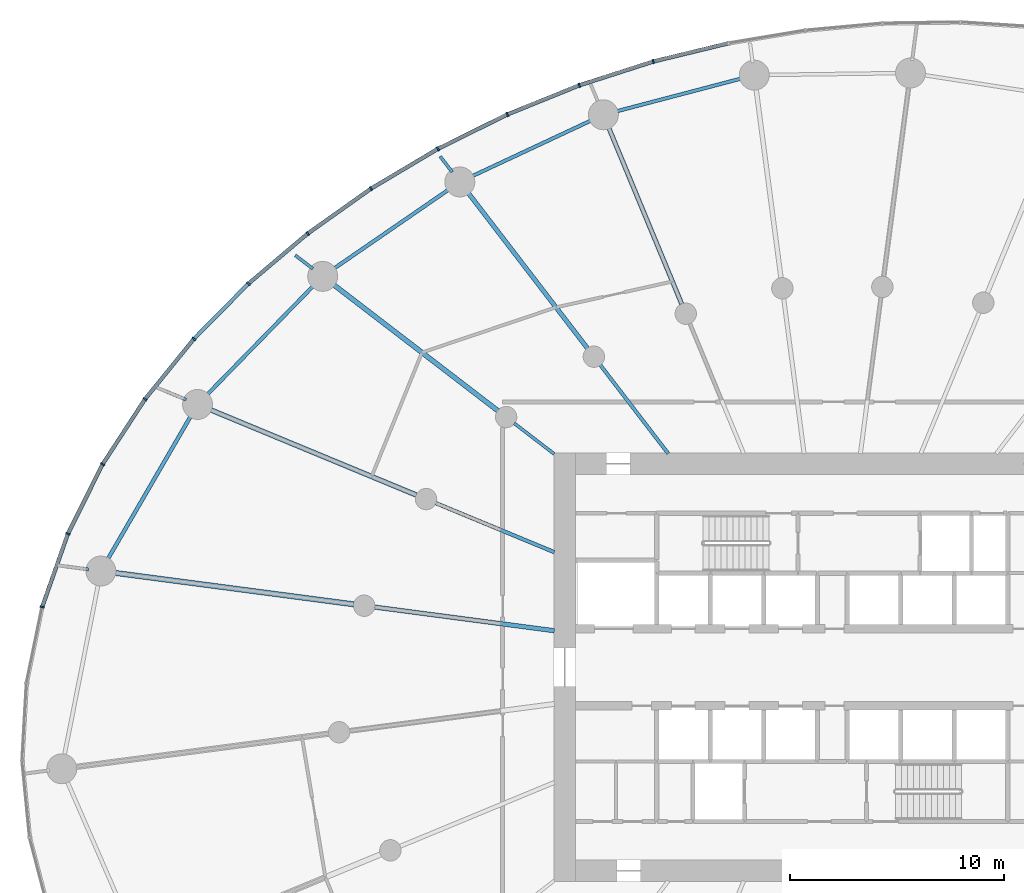
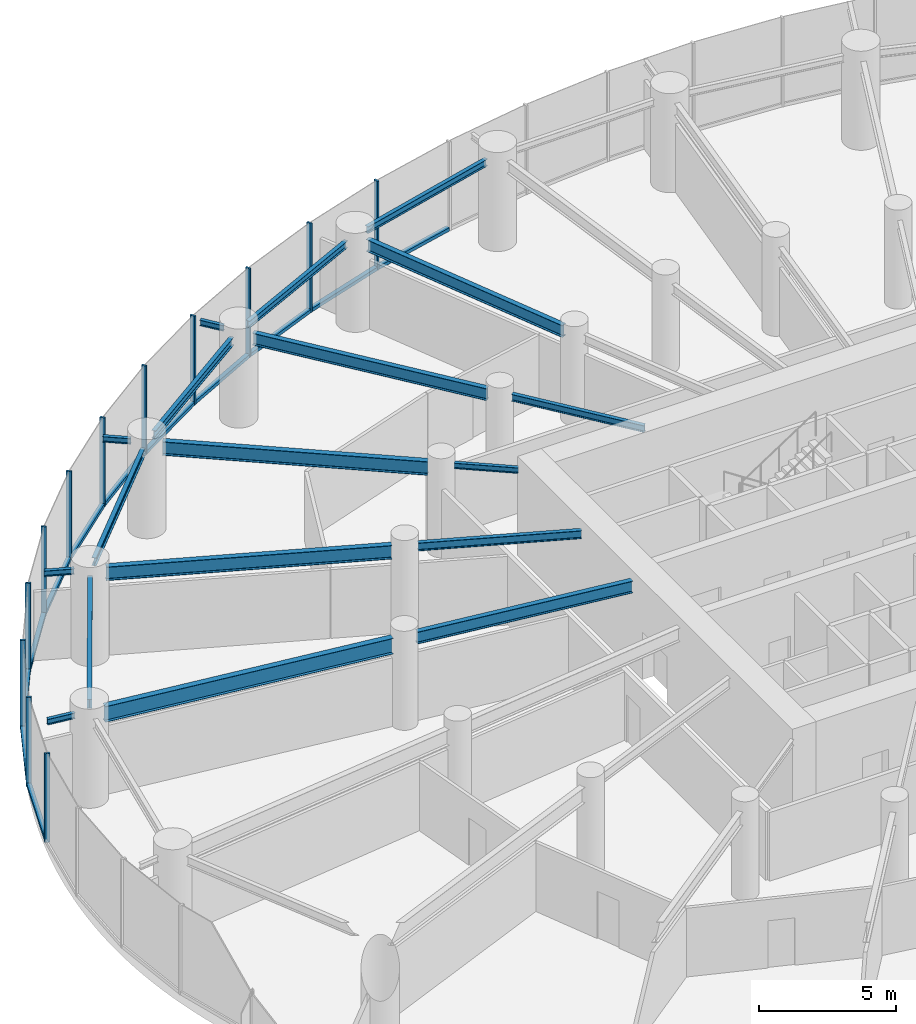
# One storey, part 6 of 18: 24 members, 18 beams, 3 elements without a shape of their own.
"""IFC4 building model written with IfcOpenShell, lengths in metres."""

from ifc_helpers import new_model, si_unit, direction, frame, origin, origin_2d, place, context, subcontext, project, spatial, rectangle, i_section, extrude, source, transform, mapped, material, layer, layer_set, material_profile, profile_set, type_object, element, aggregate, save


model = new_model("IFC4")

# Units and contexts
model_context = context("Model", 3, precision=1e-05, world=origin(), true_north=direction((0.0, 1.0)))
body_context = subcontext(model_context, "Body", "Model", "MODEL_VIEW")
ifc_project = project(units=[si_unit("LENGTHUNIT", "METRE"), si_unit("AREAUNIT", "SQUARE_METRE"), si_unit("VOLUMEUNIT", "CUBIC_METRE"), si_unit("PLANEANGLEUNIT", "RADIAN"), si_unit("MASSUNIT", "GRAM", prefix="KILO")], contexts=[model_context])

# Site, building, storey
site_placement = place(None, origin())
site = spatial("IfcSite", under=ifc_project, at=site_placement, CompositionType="ELEMENT")
building_placement = place(site_placement, origin())
building = spatial("IfcBuilding", under=site, at=building_placement, Name="Spindrift Exchange Tower", CompositionType="ELEMENT")
storey_placement = place(building_placement, frame((0.0, 0.0, 66.60009765625)))
storey = spatial("IfcBuildingStorey", under=building, at=storey_placement, Name="L15", CompositionType="ELEMENT", Elevation=66.60009765625)

# Beams
ifc_material_1 = material(Name="Steel Grade 300", Category="steel")
ifc_material_profile_1 = material_profile(ifc_material_1, i_section(OverallWidth=0.208984375, OverallDepth=0.532958984375, WebThickness=0.01025390625, FlangeThickness=0.015625, FilletRadius=0.013916015625, at=origin_2d()), Name="530UB92.4")
ifc_profile_set_1 = profile_set([ifc_material_profile_1], Name="Steel Grade 300")
beam_type_1 = type_object("IfcBeamType", Name="Floor Beam 530UB92.4 Steel Grade 300", PredefinedType="BEAM", material=ifc_profile_set_1)
shared_shape_1 = source(origin(), body_context, "Body", "SweptSolid", [
    extrude(i_section(OverallWidth=0.208984375, OverallDepth=0.532958984375, WebThickness=0.01025390625, FlangeThickness=0.015625, FilletRadius=0.013916015625, at=origin_2d()), origin(), (0.0, 0.0, 1.0), 8.99658203125),
])
beam_1_placement = place(storey_placement, frame((44.974609375, 64.9609375, 3.683349609375), z_axis=(-0.382685731718, 0.923878580085, 0.0), x_axis=(-0.923878580085, -0.382685731718, 0.0)))
element("IfcBeam", 1, at=beam_1_placement, inside=storey, type_object=beam_type_1, Name="L15 radial beam R08B", PredefinedType="BEAM", context=body_context, shape_type="MappedRepresentation", body=[
    mapped(shared_shape_1, transform((0.0, 0.0, 0.0), scale=1.0)),
])
ifc_material_profile_2 = material_profile(ifc_material_1, i_section(OverallWidth=0.1650390625, OverallDepth=0.303955078125, WebThickness=0.006103515625, FlangeThickness=0.01025390625, FilletRadius=0.011474609375, at=origin_2d()), Name="310UB40.4")
ifc_profile_set_2 = profile_set([ifc_material_profile_2], Name="Steel Grade 300")
beam_type_2 = type_object("IfcBeamType", Name="Floor Beam 310UB40.4 Steel Grade 300", PredefinedType="BEAM", material=ifc_profile_set_2)
shared_shape_2 = source(origin(), body_context, "Body", "SweptSolid", [
    extrude(i_section(OverallWidth=0.1650390625, OverallDepth=0.303955078125, WebThickness=0.006103515625, FlangeThickness=0.01025390625, FilletRadius=0.011474609375, at=origin_2d()), origin(), (0.0, 0.0, 1.0), 5.224609375),
])
beam_2_placement = place(storey_placement, frame((44.3388671875, 57.984130859375, 3.7978515625), z_axis=(-0.608741499316, 0.793368632485, 0.0), x_axis=(-0.793368632485, -0.608741499316, 0.0)))
element("IfcBeam", 2, at=beam_2_placement, inside=storey, type_object=beam_type_2, Name="L15 radial beam R09A", PredefinedType="BEAM", context=body_context, shape_type="MappedRepresentation", body=[
    mapped(shared_shape_2, transform((0.0, 0.0, 0.0), scale=1.0)),
])
shared_shape_3 = source(origin(), body_context, "Body", "SweptSolid", [
    extrude(i_section(OverallWidth=0.208984375, OverallDepth=0.532958984375, WebThickness=0.01025390625, FlangeThickness=0.015625, FilletRadius=0.013916015625, at=origin_2d()), origin(), (0.0, 0.0, 1.0), 9.227783203125),
])
beam_3_placement = place(storey_placement, frame((40.573974609375, 62.890625, 3.683349609375), z_axis=(-0.608747534474, 0.79336400175, 0.0), x_axis=(-0.79336400175, -0.608747534474, 0.0)))
element("IfcBeam", 3, at=beam_3_placement, inside=storey, type_object=beam_type_1, Name="L15 radial beam R09B", PredefinedType="BEAM", context=body_context, shape_type="MappedRepresentation", body=[
    mapped(shared_shape_3, transform((0.0, 0.0, 0.0), scale=1.0)),
])
ifc_material_profile_3 = material_profile(ifc_material_1, i_section(OverallWidth=0.14599609375, OverallDepth=0.251953125, WebThickness=0.006103515625, FlangeThickness=0.008544921875, FilletRadius=0.011962890625, at=origin_2d()), Name="250UB31.4")
ifc_profile_set_3 = profile_set([ifc_material_profile_3], Name="Steel Grade 300")
beam_type_3 = type_object("IfcBeamType", Name="Floor Beam 250UB31.4 Steel Grade 300", PredefinedType="BEAM", material=ifc_profile_set_3)
shared_shape_4 = source(origin(), body_context, "Body", "SweptSolid", [
    extrude(i_section(OverallWidth=0.14599609375, OverallDepth=0.251953125, WebThickness=0.006103515625, FlangeThickness=0.008544921875, FilletRadius=0.011962890625, at=origin_2d()), origin(), (0.0, 0.0, 1.0), 2.353759765625),
])
beam_4_placement = place(storey_placement, frame((39.015869140625, 57.963134765625, 3.823974609375), z_axis=(-0.793367573265, 0.608742879787, 0.0), x_axis=(-0.608742879787, -0.793367573265, 0.0)))
element("IfcBeam", 4, at=beam_4_placement, inside=storey, type_object=beam_type_3, Name="L15 radial beam R10A", PredefinedType="BEAM", context=body_context, shape_type="MappedRepresentation", body=[
    mapped(shared_shape_4, transform((0.0, 0.0, 0.0), scale=1.0)),
])
ifc_material_profile_4 = material_profile(ifc_material_1, i_section(OverallWidth=0.22802734375, OverallDepth=0.60693359375, WebThickness=0.01123046875, FlangeThickness=0.017333984375, FilletRadius=0.013916015625, at=origin_2d()), Name="610UB113")
ifc_profile_set_4 = profile_set([ifc_material_profile_4], Name="Steel Grade 300")
beam_type_4 = type_object("IfcBeamType", Name="Floor Beam 610UB113 Steel Grade 300", PredefinedType="BEAM", material=ifc_profile_set_4)
shared_shape_5 = source(origin(), body_context, "Body", "SweptSolid", [
    extrude(i_section(OverallWidth=0.22802734375, OverallDepth=0.60693359375, WebThickness=0.01123046875, FlangeThickness=0.017333984375, FilletRadius=0.013916015625, at=origin_2d()), origin(), (0.0, 0.0, 1.0), 9.73974609375),
])
beam_5_placement = place(storey_placement, frame((36.38671875, 59.98046875, 3.646484375), z_axis=(-0.793352119621, 0.608763019814, 0.0), x_axis=(-0.608763019814, -0.793352119621, 0.0)))
element("IfcBeam", 5, at=beam_5_placement, inside=storey, type_object=beam_type_4, Name="L15 radial beam R10B", PredefinedType="BEAM", context=body_context, shape_type="MappedRepresentation", body=[
    mapped(shared_shape_5, transform((0.0, 0.0, 0.0), scale=1.0)),
])
ifc_material_profile_5 = material_profile(ifc_material_1, i_section(OverallWidth=0.172119140625, OverallDepth=0.35888671875, WebThickness=0.008056640625, FlangeThickness=0.012939453125, FilletRadius=0.013916015625, at=origin_2d()), Name="360UB56.7")
ifc_profile_set_5 = profile_set([ifc_material_profile_5], Name="Steel Grade 300")
beam_type_5 = type_object("IfcBeamType", Name="Floor Beam 360UB56.7 Steel Grade 300", PredefinedType="BEAM", material=ifc_profile_set_5)
shared_shape_6 = source(origin(), body_context, "Body", "SweptSolid", [
    extrude(i_section(OverallWidth=0.172119140625, OverallDepth=0.35888671875, WebThickness=0.008056640625, FlangeThickness=0.012939453125, FilletRadius=0.013916015625, at=origin_2d()), origin(), (0.0, 0.0, 1.0), 6.004638671875),
])
beam_6_placement = place(storey_placement, frame((39.0185546875, 53.377197265625, 3.7705078125), z_axis=(-0.923882044911, 0.38267736684, 0.0), x_axis=(-0.38267736684, -0.923882044911, 0.0)))
element("IfcBeam", 6, at=beam_6_placement, inside=storey, type_object=beam_type_5, Name="L15 radial beam R11A", PredefinedType="BEAM", context=body_context, shape_type="MappedRepresentation", body=[
    mapped(shared_shape_6, transform((0.0, 0.0, 0.0), scale=1.0)),
])
shared_shape_7 = source(origin(), body_context, "Body", "SweptSolid", [
    extrude(i_section(OverallWidth=0.22802734375, OverallDepth=0.60693359375, WebThickness=0.01123046875, FlangeThickness=0.017333984375, FilletRadius=0.013916015625, at=origin_2d()), origin(), (0.0, 0.0, 1.0), 10.4912109375),
])
beam_7_placement = place(storey_placement, frame((32.583984375, 56.04248046875, 3.646484375), z_axis=(-0.923885231151, 0.382669674342, 0.0), x_axis=(-0.382669674342, -0.923885231151, 0.0)))
element("IfcBeam", 7, at=beam_7_placement, inside=storey, type_object=beam_type_4, Name="L15 radial beam R11B", PredefinedType="BEAM", context=body_context, shape_type="MappedRepresentation", body=[
    mapped(shared_shape_7, transform((0.0, 0.0, 0.0), scale=1.0)),
])
shared_shape_8 = source(origin(), body_context, "Body", "SweptSolid", [
    extrude(i_section(OverallWidth=0.208984375, OverallDepth=0.532958984375, WebThickness=0.01025390625, FlangeThickness=0.015625, FilletRadius=0.013916015625, at=origin_2d()), origin(), (0.0, 0.0, 1.0), 8.4794921875),
])
beam_8_placement = place(storey_placement, frame((39.019775390625, 49.708984375, 3.683349609375), z_axis=(-0.991446551951, 0.13051335037, 0.0), x_axis=(-0.13051335037, -0.991446551951, 0.0)))
element("IfcBeam", 8, at=beam_8_placement, inside=storey, type_object=beam_type_1, Name="L15 radial beam R12A", PredefinedType="BEAM", context=body_context, shape_type="MappedRepresentation", body=[
    mapped(shared_shape_8, transform((0.0, 0.0, 0.0), scale=1.0)),
])
ifc_material_profile_6 = material_profile(ifc_material_1, i_section(OverallWidth=0.25, OverallDepth=0.699951171875, WebThickness=0.008056640625, FlangeThickness=0.011962890625, at=origin_2d()), Name="700WB115")
ifc_profile_set_6 = profile_set([ifc_material_profile_6], Name="Steel Grade 300")
beam_type_6 = type_object("IfcBeamType", Name="Floor Beam 700WB115 Steel Grade 300", PredefinedType="BEAM", material=ifc_profile_set_6)
shared_shape_9 = source(origin(), body_context, "Body", "SweptSolid", [
    extrude(i_section(OverallWidth=0.25, OverallDepth=0.699951171875, WebThickness=0.008056640625, FlangeThickness=0.011962890625, at=origin_2d()), origin(), (0.0, 0.0, 1.0), 11.34423828125),
])
beam_9_placement = place(storey_placement, frame((29.660888671875, 50.94091796875, 3.599853515625), z_axis=(-0.991444770187, 0.130526884848, 0.0), x_axis=(-0.130526884848, -0.991444770187, 0.0)))
element("IfcBeam", 9, at=beam_9_placement, inside=storey, type_object=beam_type_6, Name="L15 radial beam R12B", PredefinedType="BEAM", context=body_context, shape_type="MappedRepresentation", body=[
    mapped(shared_shape_9, transform((0.0, 0.0, 0.0), scale=1.0)),
])
ifc_material_profile_7 = material_profile(ifc_material_1, i_section(OverallWidth=0.1650390625, OverallDepth=0.303955078125, WebThickness=0.006103515625, FlangeThickness=0.01025390625, FilletRadius=0.011474609375, at=origin_2d()), Name="310UB40.4")
ifc_profile_set_7 = profile_set([ifc_material_profile_7], Name="Steel Grade 300")
beam_type_7 = type_object("IfcBeamType", Name="Edge Beam 310UB40.4 Steel Grade 300", PredefinedType="SPANDREL", material=ifc_profile_set_7)
shared_shape_10 = source(origin(), body_context, "Body", "SweptSolid", [
    extrude(i_section(OverallWidth=0.1650390625, OverallDepth=0.303955078125, WebThickness=0.006103515625, FlangeThickness=0.01025390625, FilletRadius=0.011474609375, at=origin_2d()), origin(), (0.0, 0.0, 1.0), 6.128173828125),
])
beam_10_placement = place(storey_placement, frame((47.79736328125, 75.513916015625, 3.7978515625), z_axis=(-0.967147261855, -0.254216785216, 0.0), x_axis=(0.254216785216, -0.967147261855, 0.0)))
element("IfcBeam", 10, at=beam_10_placement, inside=storey, type_object=beam_type_7, Name="L15 edge beam E07", PredefinedType="SPANDREL", context=body_context, shape_type="MappedRepresentation", body=[
    mapped(shared_shape_10, transform((0.0, 0.0, 0.0), scale=1.0)),
])
shared_shape_11 = source(origin(), body_context, "Body", "SweptSolid", [
    extrude(i_section(OverallWidth=0.1650390625, OverallDepth=0.303955078125, WebThickness=0.006103515625, FlangeThickness=0.01025390625, FilletRadius=0.011474609375, at=origin_2d()), origin(), (0.0, 0.0, 1.0), 6.243408203125),
])
beam_11_placement = place(storey_placement, frame((40.7841796875, 73.56298828125, 3.7978515625), z_axis=(-0.905791146607, -0.423724437257, 0.0), x_axis=(0.423724437257, -0.905791146607, 0.0)))
element("IfcBeam", 11, at=beam_11_placement, inside=storey, type_object=beam_type_7, Name="L15 edge beam E08", PredefinedType="SPANDREL", context=body_context, shape_type="MappedRepresentation", body=[
    mapped(shared_shape_11, transform((0.0, 0.0, 0.0), scale=1.0)),
])
ifc_material_profile_8 = material_profile(ifc_material_1, i_section(OverallWidth=0.172119140625, OverallDepth=0.35888671875, WebThickness=0.008056640625, FlangeThickness=0.012939453125, FilletRadius=0.013916015625, at=origin_2d()), Name="360UB56.7")
ifc_profile_set_8 = profile_set([ifc_material_profile_8], Name="Steel Grade 300")
beam_type_8 = type_object("IfcBeamType", Name="Edge Beam 360UB56.7 Steel Grade 300", PredefinedType="SPANDREL", material=ifc_profile_set_8)
shared_shape_12 = source(origin(), body_context, "Body", "SweptSolid", [
    extrude(i_section(OverallWidth=0.172119140625, OverallDepth=0.35888671875, WebThickness=0.008056640625, FlangeThickness=0.012939453125, FilletRadius=0.013916015625, at=origin_2d()), origin(), (0.0, 0.0, 1.0), 6.614990234375),
])
beam_12_placement = place(storey_placement, frame((34.125732421875, 70.3427734375, 3.7705078125), z_axis=(-0.823690708835, -0.567039342708, 0.0), x_axis=(0.567039342708, -0.823690708835, 0.0)))
element("IfcBeam", 12, at=beam_12_placement, inside=storey, type_object=beam_type_8, Name="L15 edge beam E09", PredefinedType="SPANDREL", context=body_context, shape_type="MappedRepresentation", body=[
    mapped(shared_shape_12, transform((0.0, 0.0, 0.0), scale=1.0)),
])
shared_shape_13 = source(origin(), body_context, "Body", "SweptSolid", [
    extrude(i_section(OverallWidth=0.172119140625, OverallDepth=0.35888671875, WebThickness=0.008056640625, FlangeThickness=0.012939453125, FilletRadius=0.013916015625, at=origin_2d()), origin(), (0.0, 0.0, 1.0), 7.2041015625),
])
beam_13_placement = place(storey_placement, frame((27.794189453125, 65.847900390625, 3.7705078125), z_axis=(-0.698703626006, -0.715411240481, 0.0), x_axis=(0.715411240481, -0.698703626006, 0.0)))
element("IfcBeam", 13, at=beam_13_placement, inside=storey, type_object=beam_type_8, Name="L15 edge beam E10", PredefinedType="SPANDREL", context=body_context, shape_type="MappedRepresentation", body=[
    mapped(shared_shape_13, transform((0.0, 0.0, 0.0), scale=1.0)),
])
ifc_material_profile_9 = material_profile(ifc_material_1, i_section(OverallWidth=0.177978515625, OverallDepth=0.406005859375, WebThickness=0.0078125, FlangeThickness=0.0126953125, FilletRadius=0.013916015625, at=origin_2d()), Name="410UB59.7")
ifc_profile_set_9 = profile_set([ifc_material_profile_9], Name="Steel Grade 300")
beam_type_9 = type_object("IfcBeamType", Name="Edge Beam 410UB59.7 Steel Grade 300", PredefinedType="SPANDREL", material=ifc_profile_set_9)
shared_shape_14 = source(origin(), body_context, "Body", "SweptSolid", [
    extrude(i_section(OverallWidth=0.177978515625, OverallDepth=0.406005859375, WebThickness=0.0078125, FlangeThickness=0.0126953125, FilletRadius=0.013916015625, at=origin_2d()), origin(), (0.0, 0.0, 1.0), 7.837646484375),
])
beam_14_placement = place(storey_placement, frame((22.064208984375, 59.777587890625, 3.746826171875), z_axis=(-0.50198145655, -0.864878382942, 0.0), x_axis=(0.864878382942, -0.50198145655, 0.0)))
element("IfcBeam", 14, at=beam_14_placement, inside=storey, type_object=beam_type_9, Name="L15 edge beam E11", PredefinedType="SPANDREL", context=body_context, shape_type="MappedRepresentation", body=[
    mapped(shared_shape_14, transform((0.0, 0.0, 0.0), scale=1.0)),
])
ifc_material_profile_10 = material_profile(ifc_material_1, i_section(OverallWidth=0.14599609375, OverallDepth=0.251953125, WebThickness=0.006103515625, FlangeThickness=0.008544921875, FilletRadius=0.011962890625, at=origin_2d()), Name="250UB31.4")
ifc_profile_set_10 = profile_set([ifc_material_profile_10], Name="Steel Grade 300")
beam_type_10 = type_object("IfcBeamType", Name="Cantilever Beam 250UB31.4 Steel Grade 300", PredefinedType="BEAM", material=ifc_profile_set_10)
shared_shape_15 = source(origin(), body_context, "Body", "SweptSolid", [
    extrude(i_section(OverallWidth=0.14599609375, OverallDepth=0.251953125, WebThickness=0.006103515625, FlangeThickness=0.008544921875, FilletRadius=0.011962890625, at=origin_2d()), origin(), (0.0, 0.0, 1.0), 0.925537109375),
])
beam_15_placement = place(storey_placement, frame((34.250244140625, 71.1318359375, 3.823974609375), z_axis=(-0.608575522624, 0.793495956677, 0.0), x_axis=(-0.793495956677, -0.608575522624, 0.0)))
element("IfcBeam", 15, at=beam_15_placement, inside=storey, type_object=beam_type_10, Name="L15 cantilever beam R09T", PredefinedType="BEAM", context=body_context, shape_type="MappedRepresentation", body=[
    mapped(shared_shape_15, transform((0.0, 0.0, 0.0), scale=1.0)),
])
shared_shape_16 = source(origin(), body_context, "Body", "SweptSolid", [
    extrude(i_section(OverallWidth=0.14599609375, OverallDepth=0.251953125, WebThickness=0.006103515625, FlangeThickness=0.008544921875, FilletRadius=0.011962890625, at=origin_2d()), origin(), (0.0, 0.0, 1.0), 1.032958984375),
])
beam_16_placement = place(storey_placement, frame((27.7392578125, 66.615966796875, 3.823974609375), z_axis=(-0.793343832484, 0.608773819624, 0.0), x_axis=(-0.608773819624, -0.793343832484, 0.0)))
element("IfcBeam", 16, at=beam_16_placement, inside=storey, type_object=beam_type_10, Name="L15 cantilever beam R10T", PredefinedType="BEAM", context=body_context, shape_type="MappedRepresentation", body=[
    mapped(shared_shape_16, transform((0.0, 0.0, 0.0), scale=1.0)),
])
shared_shape_17 = source(origin(), body_context, "Body", "SweptSolid", [
    extrude(i_section(OverallWidth=0.14599609375, OverallDepth=0.251953125, WebThickness=0.006103515625, FlangeThickness=0.008544921875, FilletRadius=0.011962890625, at=origin_2d()), origin(), (0.0, 0.0, 1.0), 1.105712890625),
])
beam_17_placement = place(storey_placement, frame((21.819580078125, 60.501220703125, 3.823974609375), z_axis=(-0.923884961757, 0.382670324743, 0.0), x_axis=(-0.382670324743, -0.923884961757, 0.0)))
element("IfcBeam", 17, at=beam_17_placement, inside=storey, type_object=beam_type_10, Name="L15 cantilever beam R11T", PredefinedType="BEAM", context=body_context, shape_type="MappedRepresentation", body=[
    mapped(shared_shape_17, transform((0.0, 0.0, 0.0), scale=1.0)),
])
shared_shape_18 = source(origin(), body_context, "Body", "SweptSolid", [
    extrude(i_section(OverallWidth=0.14599609375, OverallDepth=0.251953125, WebThickness=0.006103515625, FlangeThickness=0.008544921875, FilletRadius=0.011962890625, at=origin_2d()), origin(), (0.0, 0.0, 1.0), 1.0810546875),
])
beam_18_placement = place(storey_placement, frame((17.263916015625, 52.572998046875, 3.823974609375), z_axis=(-0.991443530498, 0.130536300826, 0.0), x_axis=(-0.130536300826, -0.991443530498, 0.0)))
element("IfcBeam", 18, at=beam_18_placement, inside=storey, type_object=beam_type_10, Name="L15 cantilever beam R12T", PredefinedType="BEAM", context=body_context, shape_type="MappedRepresentation", body=[
    mapped(shared_shape_18, transform((0.0, 0.0, 0.0), scale=1.0)),
])

# Curtain wall, members
ifc_material_2 = material(Name="Fritted laminated glass with bronze frame", Category="glass")
ifc_layer = layer(ifc_material_2, 0.199951171875)
ifc_layer_set = layer_set([ifc_layer], Name="ZONE 1 BRONZE FRITTED WALL")
curtain_wall_type = type_object("IfcCurtainWallType", Name="ZONE 1 BRONZE FRITTED WALL", PredefinedType="NOTDEFINED", material=ifc_layer_set)
curtain_wall_1_placement = place(storey_placement, origin())
curtain_wall_1 = element("IfcCurtainWall", 19, at=curtain_wall_1_placement, inside=storey, type_object=curtain_wall_type, Name="L15 Zone 1 Bronze Fritted Wall run 3", PredefinedType="NOTDEFINED")
ifc_material_3 = material(Name="Bronze anodised aluminium", Category="aluminium")
ifc_material_profile_11 = material_profile(ifc_material_3, rectangle(XDim=0.080078125, YDim=0.199951171875, at=origin_2d()), Name="ZONE 1 BRONZE FRITTED WALL MULLION 80X200")
ifc_profile_set_11 = profile_set([ifc_material_profile_11], Name="Bronze anodised aluminium")
member_type_1 = type_object("IfcMemberType", Name="ZONE 1 BRONZE FRITTED WALL MULLION 80X200", PredefinedType="MULLION", material=ifc_profile_set_11)
shared_shape_19 = source(origin(), body_context, "Body", "SweptSolid", [
    extrude(rectangle(XDim=0.080078125, YDim=0.199951171875, at=origin_2d()), origin(), (0.0, 0.0, 1.0), 3.949951171875),
])
member_1_placement = place(storey_placement, frame((43.640869140625, 76.296875, 0.0), z_axis=(0.0, 0.0, 1.0), x_axis=(-0.962503911469, -0.271267802008, 0.0)))
member_1 = element("IfcMember", 20, at=member_1_placement, type_object=member_type_1, Name="L15 mullion CW-1.16", PredefinedType="MULLION", context=body_context, shape_type="MappedRepresentation", body=[
    mapped(shared_shape_19, transform((0.0, 0.0, 0.0), scale=1.0)),
])
member_2_placement = place(storey_placement, frame((40.1875, 75.186279296875, 0.0), z_axis=(0.0, 0.0, 1.0), x_axis=(-0.940092657511, -0.340919045074, 0.0)))
member_2 = element("IfcMember", 21, at=member_2_placement, type_object=member_type_1, Name="L15 mullion CW-1.17", PredefinedType="MULLION", context=body_context, shape_type="MappedRepresentation", body=[
    mapped(shared_shape_19, transform((0.0, 0.0, 0.0), scale=1.0)),
])
member_3_placement = place(storey_placement, frame((36.8251953125, 73.8251953125, 0.0), z_axis=(0.0, 0.0, 1.0), x_axis=(-0.912237727569, -0.409661236144, 0.0)))
member_3 = element("IfcMember", 22, at=member_3_placement, type_object=member_type_1, Name="L15 mullion CW-1.18", PredefinedType="MULLION", context=body_context, shape_type="MappedRepresentation", body=[
    mapped(shared_shape_19, transform((0.0, 0.0, 0.0), scale=1.0)),
])

curtain_wall_2_placement = place(storey_placement, origin())
curtain_wall_2 = element("IfcCurtainWall", 23, at=curtain_wall_2_placement, inside=storey, type_object=curtain_wall_type, Name="L15 Zone 1 Bronze Fritted Wall run 4", PredefinedType="NOTDEFINED")
member_4_placement = place(storey_placement, frame((33.57421875, 72.21630859375, 0.0), z_axis=(0.0, 0.0, 1.0), x_axis=(-0.878484670275, -0.477770534977, 0.0)))
member_4 = element("IfcMember", 24, at=member_4_placement, type_object=member_type_1, Name="L15 mullion CW-1.19", PredefinedType="MULLION", context=body_context, shape_type="MappedRepresentation", body=[
    mapped(shared_shape_19, transform((0.0, 0.0, 0.0), scale=1.0)),
])
member_5_placement = place(storey_placement, frame((30.456787109375, 70.36181640625, 0.0), z_axis=(0.0, 0.0, 1.0), x_axis=(-0.838136810141, -0.545460069563, 0.0)))
member_5 = element("IfcMember", 25, at=member_5_placement, type_object=member_type_1, Name="L15 mullion CW-1.20", PredefinedType="MULLION", context=body_context, shape_type="MappedRepresentation", body=[
    mapped(shared_shape_19, transform((0.0, 0.0, 0.0), scale=1.0)),
])
member_6_placement = place(storey_placement, frame((27.498779296875, 68.2626953125, 0.0), z_axis=(0.0, 0.0, 1.0), x_axis=(-0.790291030368, -0.612731660126, 0.0)))
member_6 = element("IfcMember", 26, at=member_6_placement, type_object=member_type_1, Name="L15 mullion CW-1.21", PredefinedType="MULLION", context=body_context, shape_type="MappedRepresentation", body=[
    mapped(shared_shape_19, transform((0.0, 0.0, 0.0), scale=1.0)),
])
member_7_placement = place(storey_placement, frame((24.72900390625, 65.9208984375, 0.0), z_axis=(0.0, 0.0, 1.0), x_axis=(-0.73377488472, -0.679392683618, 0.0)))
member_7 = element("IfcMember", 27, at=member_7_placement, type_object=member_type_1, Name="L15 mullion CW-1.22", PredefinedType="MULLION", context=body_context, shape_type="MappedRepresentation", body=[
    mapped(shared_shape_19, transform((0.0, 0.0, 0.0), scale=1.0)),
])
member_8_placement = place(storey_placement, frame((22.181396484375, 63.33935546875, 0.0), z_axis=(0.0, 0.0, 1.0), x_axis=(-0.667139946931, -0.744932407141, 0.0)))
member_8 = element("IfcMember", 28, at=member_8_placement, type_object=member_type_1, Name="L15 mullion CW-1.23", PredefinedType="MULLION", context=body_context, shape_type="MappedRepresentation", body=[
    mapped(shared_shape_19, transform((0.0, 0.0, 0.0), scale=1.0)),
])
member_9_placement = place(storey_placement, frame((19.8955078125, 60.523681640625, 0.0), z_axis=(0.0, 0.0, 1.0), x_axis=(-0.588735434502, -0.80832579333, 0.0)))
member_9 = element("IfcMember", 29, at=member_9_placement, type_object=member_type_1, Name="L15 mullion CW-1.24", PredefinedType="MULLION", context=body_context, shape_type="MappedRepresentation", body=[
    mapped(shared_shape_19, transform((0.0, 0.0, 0.0), scale=1.0)),
])

curtain_wall_3_placement = place(storey_placement, origin())
curtain_wall_3 = element("IfcCurtainWall", 30, at=curtain_wall_3_placement, inside=storey, type_object=curtain_wall_type, Name="L15 Zone 1 Bronze Fritted Wall run 5", PredefinedType="NOTDEFINED")
member_10_placement = place(storey_placement, frame((17.917236328125, 57.484619140625, 0.0), z_axis=(0.0, 0.0, 1.0), x_axis=(-0.496808369409, -0.867860267603, 0.0)))
member_10 = element("IfcMember", 31, at=member_10_placement, type_object=member_type_1, Name="L15 mullion CW-1.25", PredefinedType="MULLION", context=body_context, shape_type="MappedRepresentation", body=[
    mapped(shared_shape_19, transform((0.0, 0.0, 0.0), scale=1.0)),
])
member_11_placement = place(storey_placement, frame((16.29833984375, 54.239990234375, 0.0), z_axis=(0.0, 0.0, 1.0), x_axis=(-0.389835769713, -0.920884397008, 0.0)))
member_11 = element("IfcMember", 32, at=member_11_placement, type_object=member_type_1, Name="L15 mullion CW-1.26", PredefinedType="MULLION", context=body_context, shape_type="MappedRepresentation", body=[
    mapped(shared_shape_19, transform((0.0, 0.0, 0.0), scale=1.0)),
])
member_12_placement = place(storey_placement, frame((15.095703125, 50.819580078125, 0.0), z_axis=(0.0, 0.0, 1.0), x_axis=(-0.267032456263, -0.963687536135, 0.0)))
member_12 = element("IfcMember", 33, at=member_12_placement, type_object=member_type_1, Name="L15 mullion CW-1.27", PredefinedType="MULLION", context=body_context, shape_type="MappedRepresentation", body=[
    mapped(shared_shape_19, transform((0.0, 0.0, 0.0), scale=1.0)),
])
ifc_material_profile_12 = material_profile(ifc_material_3, rectangle(XDim=0.179931640625, YDim=0.14990234375, at=origin_2d()), Name="ZONE 1 BRONZE FRITTED WALL TRANSOM 180X150")
ifc_profile_set_12 = profile_set([ifc_material_profile_12], Name="Bronze anodised aluminium")
member_type_2 = type_object("IfcMemberType", Name="ZONE 1 BRONZE FRITTED WALL TRANSOM 180X150", PredefinedType="USERDEFINED", material=ifc_profile_set_12)
shared_shape_20 = source(origin(), body_context, "Body", "SweptSolid", [
    extrude(rectangle(XDim=0.179931640625, YDim=0.14990234375, at=origin_2d()), origin(), (0.0, 0.0, 1.0), 3.545654296875),
])
member_13_placement = place(storey_placement, frame((16.28515625, 54.2021484375, 0.074951171875), z_axis=(-0.331739418351, -0.943371060777, 0.0), x_axis=(0.943371060777, -0.331739418351, 0.0)))
member_13 = element("IfcMember", 34, at=member_13_placement, type_object=member_type_2, Name="L15 transom CW-1.26", ObjectType="TRANSOM", PredefinedType="USERDEFINED", context=body_context, shape_type="MappedRepresentation", body=[
    mapped(shared_shape_20, transform((0.0, 0.0, 0.0), scale=1.0)),
])
shared_shape_21 = source(origin(), body_context, "Body", "SweptSolid", [
    extrude(rectangle(XDim=0.179931640625, YDim=0.14990234375, at=origin_2d()), origin(), (0.0, 0.0, 1.0), 3.546142578125),
])
member_14_placement = place(storey_placement, frame((17.8994140625, 57.44873046875, 0.074951171875), z_axis=(-0.446469898196, -0.894798653332, 0.0), x_axis=(0.894798653332, -0.446469898196, 0.0)))
member_14 = element("IfcMember", 35, at=member_14_placement, type_object=member_type_2, Name="L15 transom CW-1.25", ObjectType="TRANSOM", PredefinedType="USERDEFINED", context=body_context, shape_type="MappedRepresentation", body=[
    mapped(shared_shape_21, transform((0.0, 0.0, 0.0), scale=1.0)),
])
aggregate(curtain_wall_3, [member_10, member_14, member_11, member_13, member_12])

# Member
shared_shape_22 = source(origin(), body_context, "Body", "SweptSolid", [
    extrude(rectangle(XDim=0.179931640625, YDim=0.14990234375, at=origin_2d()), origin(), (0.0, 0.0, 1.0), 3.546875),
])
member_15_placement = place(storey_placement, frame((24.700927734375, 65.892333984375, 0.074951171875), z_axis=(-0.70237597295, -0.711806148205, 0.0), x_axis=(0.711806148205, -0.70237597295, 0.0)))
member_15 = element("IfcMember", 36, at=member_15_placement, type_object=member_type_2, Name="L15 transom CW-1.22", ObjectType="TRANSOM", PredefinedType="USERDEFINED", context=body_context, shape_type="MappedRepresentation", body=[
    mapped(shared_shape_22, transform((0.0, 0.0, 0.0), scale=1.0)),
])

shared_shape_23 = source(origin(), body_context, "Body", "SweptSolid", [
    extrude(rectangle(XDim=0.179931640625, YDim=0.14990234375, at=origin_2d()), origin(), (0.0, 0.0, 1.0), 3.54736328125),
])
member_16_placement = place(storey_placement, frame((36.78955078125, 73.807373046875, 0.074951171875), z_axis=(-0.896277682125, -0.443493310575, 0.0), x_axis=(0.443493310575, -0.896277682125, 0.0)))
member_16 = element("IfcMember", 37, at=member_16_placement, type_object=member_type_2, Name="L15 transom CW-1.18", ObjectType="TRANSOM", PredefinedType="USERDEFINED", context=body_context, shape_type="MappedRepresentation", body=[
    mapped(shared_shape_23, transform((0.0, 0.0, 0.0), scale=1.0)),
])

member_17_placement = place(storey_placement, frame((33.539794921875, 72.196044921875, 0.074951171875), z_axis=(-0.859375695324, -0.511344711801, 0.0), x_axis=(0.511344711801, -0.859375695324, 0.0)))
member_17 = element("IfcMember", 38, at=member_17_placement, type_object=member_type_2, Name="L15 transom CW-1.19", ObjectType="TRANSOM", PredefinedType="USERDEFINED", context=body_context, shape_type="MappedRepresentation", body=[
    mapped(shared_shape_23, transform((0.0, 0.0, 0.0), scale=1.0)),
])

member_18_placement = place(storey_placement, frame((30.42431640625, 70.338623046875, 0.074951171875), z_axis=(-0.815506096881, -0.57874848246, 0.0), x_axis=(0.57874848246, -0.815506096881, 0.0)))
member_18 = element("IfcMember", 39, at=member_18_placement, type_object=member_type_2, Name="L15 transom CW-1.20", ObjectType="TRANSOM", PredefinedType="USERDEFINED", context=body_context, shape_type="MappedRepresentation", body=[
    mapped(shared_shape_23, transform((0.0, 0.0, 0.0), scale=1.0)),
])

shared_shape_24 = source(origin(), body_context, "Body", "SweptSolid", [
    extrude(rectangle(XDim=0.179931640625, YDim=0.14990234375, at=origin_2d()), origin(), (0.0, 0.0, 1.0), 3.547119140625),
])
member_19_placement = place(storey_placement, frame((27.46826171875, 68.23681640625, 0.074951171875), z_axis=(-0.763597718062, -0.645692283499, 0.0), x_axis=(0.645692283499, -0.763597718062, 0.0)))
member_19 = element("IfcMember", 40, at=member_19_placement, type_object=member_type_2, Name="L15 transom CW-1.21", ObjectType="TRANSOM", PredefinedType="USERDEFINED", context=body_context, shape_type="MappedRepresentation", body=[
    mapped(shared_shape_24, transform((0.0, 0.0, 0.0), scale=1.0)),
])

shared_shape_25 = source(origin(), body_context, "Body", "SweptSolid", [
    extrude(rectangle(XDim=0.179931640625, YDim=0.14990234375, at=origin_2d()), origin(), (0.0, 0.0, 1.0), 3.54638671875),
])
member_20_placement = place(storey_placement, frame((19.873779296875, 60.490234375, 0.074951171875), z_axis=(-0.545564114259, -0.83806908858, 0.0), x_axis=(0.83806908858, -0.545564114259, 0.0)))
member_20 = element("IfcMember", 41, at=member_20_placement, type_object=member_type_2, Name="L15 transom CW-1.24", ObjectType="TRANSOM", PredefinedType="USERDEFINED", context=body_context, shape_type="MappedRepresentation", body=[
    mapped(shared_shape_25, transform((0.0, 0.0, 0.0), scale=1.0)),
])

shared_shape_26 = source(origin(), body_context, "Body", "SweptSolid", [
    extrude(rectangle(XDim=0.179931640625, YDim=0.14990234375, at=origin_2d()), origin(), (0.0, 0.0, 1.0), 3.546630859375),
])
member_21_placement = place(storey_placement, frame((22.15625, 63.308349609375, 0.074951171875), z_axis=(-0.63025308684, -0.77638975169, 0.0), x_axis=(0.77638975169, -0.63025308684, 0.0)))
member_21 = element("IfcMember", 42, at=member_21_placement, type_object=member_type_2, Name="L15 transom CW-1.23", ObjectType="TRANSOM", PredefinedType="USERDEFINED", context=body_context, shape_type="MappedRepresentation", body=[
    mapped(shared_shape_26, transform((0.0, 0.0, 0.0), scale=1.0)),
])

aggregate(curtain_wall_2, [member_4, member_17, member_5, member_18, member_6, member_19, member_7, member_15, member_8, member_21, member_9, member_20])

shared_shape_27 = source(origin(), body_context, "Body", "SweptSolid", [
    extrude(rectangle(XDim=0.179931640625, YDim=0.14990234375, at=origin_2d()), origin(), (0.0, 0.0, 1.0), 3.547607421875),
])
member_22_placement = place(storey_placement, frame((47.126953125, 77.1435546875, 0.074951171875), z_axis=(-0.971740174399, -0.236053031033, 0.0), x_axis=(0.236053031033, -0.971740174399, 0.0)))
member_22 = element("IfcMember", 43, at=member_22_placement, type_object=member_type_2, Name="L15 transom CW-1.15", ObjectType="TRANSOM", PredefinedType="USERDEFINED", context=body_context, shape_type="MappedRepresentation", body=[
    mapped(shared_shape_27, transform((0.0, 0.0, 0.0), scale=1.0)),
])

member_23_placement = place(storey_placement, frame((43.602783203125, 76.28466796875, 0.074951171875), z_axis=(-0.951974843846, -0.306176251014, 0.0), x_axis=(0.306176251014, -0.951974843846, 0.0)))
member_23 = element("IfcMember", 44, at=member_23_placement, type_object=member_type_2, Name="L15 transom CW-1.16", ObjectType="TRANSOM", PredefinedType="USERDEFINED", context=body_context, shape_type="MappedRepresentation", body=[
    mapped(shared_shape_27, transform((0.0, 0.0, 0.0), scale=1.0)),
])

member_24_placement = place(storey_placement, frame((40.150634765625, 75.17138671875, 0.074951171875), z_axis=(-0.926916607841, -0.37526737416, 0.0), x_axis=(0.37526737416, -0.926916607841, 0.0)))
member_24 = element("IfcMember", 45, at=member_24_placement, type_object=member_type_2, Name="L15 transom CW-1.17", ObjectType="TRANSOM", PredefinedType="USERDEFINED", context=body_context, shape_type="MappedRepresentation", body=[
    mapped(shared_shape_27, transform((0.0, 0.0, 0.0), scale=1.0)),
])

aggregate(curtain_wall_1, [member_22, member_1, member_23, member_2, member_24, member_3, member_16])

save(model, "model.ifc")
